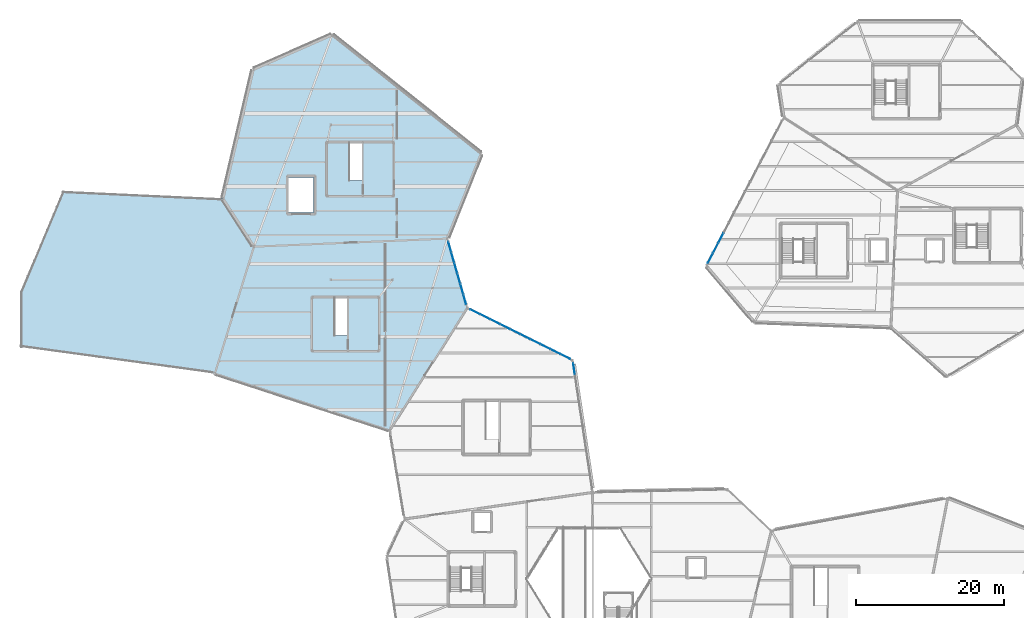
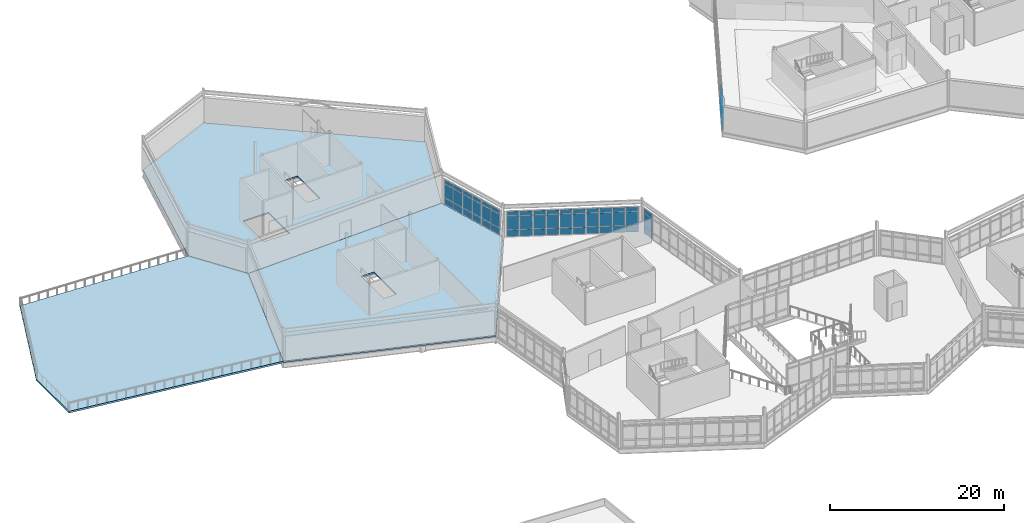
# One storey, part 51 of 76: 59 plates, 3 slabs, 4 elements without a shape of their own.
"""IFC4 building model written with IfcOpenShell, lengths in metres."""

from ifc_helpers import new_model, si_unit, direction, frame, origin, origin_2d, place, context, subcontext, project, spatial, polyline, rectangle, outline, extrude, material, layer, layer_set, type_object, element, aggregate, save


model = new_model("IFC4")

# Units and contexts
model_context = context("Model", 3, precision=1e-05, world=origin(), true_north=direction((0.0, 1.0)))
body_context = subcontext(model_context, "Body", "Model", "MODEL_VIEW")
ifc_project = project(units=[si_unit("LENGTHUNIT", "METRE"), si_unit("AREAUNIT", "SQUARE_METRE"), si_unit("VOLUMEUNIT", "CUBIC_METRE"), si_unit("PLANEANGLEUNIT", "RADIAN"), si_unit("MASSUNIT", "GRAM", prefix="KILO")], contexts=[model_context])

# Site, building, storey
site_placement = place(None, origin())
site = spatial("IfcSite", under=ifc_project, at=site_placement, CompositionType="ELEMENT")
building_placement = place(site_placement, origin())
building = spatial("IfcBuilding", under=site, at=building_placement, Name="Tameran Prism Museum", CompositionType="ELEMENT")
storey_placement = place(building_placement, frame((0.0, 0.0, 15.0)))
storey = spatial("IfcBuildingStorey", under=building, at=storey_placement, Name="L03", CompositionType="ELEMENT", Elevation=15.0)

# Curtain wall, plates
ifc_material_1 = material(Name="Anodised Aluminium 6063-T6 and Cyclone Solar Glass", Category="aluminium")
curtain_wall_type_1 = type_object("IfcCurtainWallType", Name="CW-FAC-1734x362", PredefinedType="USERDEFINED", material=ifc_material_1)
curtain_wall_1_placement = place(storey_placement, origin())
curtain_wall_1 = element("IfcCurtainWall", 1, at=curtain_wall_1_placement, inside=storey, type_object=curtain_wall_type_1, Name="Unitised Curtain Wall CW-143", ObjectType="UNITISED CURTAIN WALL", PredefinedType="USERDEFINED")
ifc_material_2 = material(Name="Low-E Laminated Solar Glass", Category="glass")
ifc_layer_1 = layer(ifc_material_2, 0.028076171875)
ifc_layer_set_1 = layer_set([ifc_layer_1])
plate_type_1 = type_object("IfcPlateType", Name="CW-PNL-G28", PredefinedType="CURTAIN_PANEL", material=ifc_layer_set_1)
plate_1_placement = place(storey_placement, frame((74.971923828125, 64.95849609375, 0.06494140625), z_axis=(0.0, 0.0, 1.0), x_axis=(0.149166532852, -0.988812088052, 0.0)))
plate_1 = element("IfcPlate", 2, at=plate_1_placement, type_object=plate_type_1, Name="CW-143 panel 1.1", PredefinedType="CURTAIN_PANEL", context=body_context, shape_type="SweptSolid", body=[
    extrude(rectangle(XDim=1.479248046875, YDim=0.028076171875, at=origin_2d()), origin(), (0.0, 0.0, 1.0), 0.902587890625),
])
plate_2_placement = place(storey_placement, frame((74.971923828125, 64.95849609375, 1.032470703125), z_axis=(0.0, 0.0, 1.0), x_axis=(0.149166532852, -0.988812088052, 0.0)))
plate_2 = element("IfcPlate", 3, at=plate_2_placement, type_object=plate_type_1, Name="CW-143 panel 1.2", PredefinedType="CURTAIN_PANEL", context=body_context, shape_type="SweptSolid", body=[
    extrude(rectangle(XDim=1.479248046875, YDim=0.028076171875, at=origin_2d()), origin(), (0.0, 0.0, 1.0), 1.875),
])
plate_3_placement = place(storey_placement, frame((74.971923828125, 64.95849609375, 2.972412109375), z_axis=(0.0, 0.0, 1.0), x_axis=(0.149166532852, -0.988812088052, 0.0)))
plate_3 = element("IfcPlate", 4, at=plate_3_placement, type_object=plate_type_1, Name="CW-143 panel 1.3", PredefinedType="CURTAIN_PANEL", context=body_context, shape_type="SweptSolid", body=[
    extrude(rectangle(XDim=1.479248046875, YDim=0.028076171875, at=origin_2d()), origin(), (0.0, 0.0, 1.0), 0.58251953125),
])
aggregate(curtain_wall_1, [plate_1, plate_2, plate_3])

ifc_material_3 = material(Name="Anodised Aluminium 6063-T6 and Cyclone Solar Glass", Category="aluminium")
curtain_wall_type_2 = type_object("IfcCurtainWallType", Name="CW-FAC-2192x362", PredefinedType="USERDEFINED", material=ifc_material_3)
curtain_wall_2_placement = place(storey_placement, origin())
curtain_wall_2 = element("IfcCurtainWall", 5, at=curtain_wall_2_placement, inside=storey, type_object=curtain_wall_type_2, Name="Unitised Curtain Wall CW-130", ObjectType="UNITISED CURTAIN WALL", PredefinedType="USERDEFINED")
ifc_material_4 = material(Name="Cyclone Laminated Solar Glass", Category="glass")
ifc_layer_2 = layer(ifc_material_4, 0.031982421875)
ifc_layer_set_2 = layer_set([ifc_layer_2])
plate_type_2 = type_object("IfcPlateType", Name="CW-PNL-G32", PredefinedType="CURTAIN_PANEL", material=ifc_layer_set_2)
plate_4_placement = place(storey_placement, frame((93.43359375, 79.921630859375, 0.080078125), z_axis=(0.0, 0.0, 1.0), x_axis=(0.463002540551, 0.886356952612, 0.0)))
plate_4 = element("IfcPlate", 6, at=plate_4_placement, type_object=plate_type_2, Name="CW-130 panel 1.1", PredefinedType="CURTAIN_PANEL", context=body_context, shape_type="SweptSolid", body=[
    extrude(rectangle(XDim=1.445556640625, YDim=0.031982421875, at=origin_2d()), origin(), (0.0, 0.0, 1.0), 0.8798828125),
])
plate_5_placement = place(storey_placement, frame((93.43359375, 79.921630859375, 1.0400390625), z_axis=(0.0, 0.0, 1.0), x_axis=(0.463002540551, 0.886356952612, 0.0)))
plate_5 = element("IfcPlate", 7, at=plate_5_placement, type_object=plate_type_2, Name="CW-130 panel 1.2", PredefinedType="CURTAIN_PANEL", context=body_context, shape_type="SweptSolid", body=[
    extrude(rectangle(XDim=1.445556640625, YDim=0.031982421875, at=origin_2d()), origin(), (0.0, 0.0, 1.0), 1.860107421875),
])
plate_6_placement = place(storey_placement, frame((93.43359375, 79.921630859375, 2.97998046875), z_axis=(0.0, 0.0, 1.0), x_axis=(0.463002540551, 0.886356952612, 0.0)))
plate_6 = element("IfcPlate", 8, at=plate_6_placement, type_object=plate_type_2, Name="CW-130 panel 1.3", PredefinedType="CURTAIN_PANEL", context=body_context, shape_type="SweptSolid", body=[
    extrude(rectangle(XDim=1.445556640625, YDim=0.031982421875, at=origin_2d()), origin(), (0.0, 0.0, 1.0), 0.56005859375),
])
plate_7_placement = place(storey_placement, frame((94.149169921875, 81.29150390625, 0.080078125), z_axis=(0.0, 0.0, 1.0), x_axis=(0.463002540551, 0.886356952612, 0.0)))
plate_7 = element("IfcPlate", 9, at=plate_7_placement, type_object=plate_type_2, Name="CW-130 panel 2.1", PredefinedType="CURTAIN_PANEL", context=body_context, shape_type="SweptSolid", body=[
    extrude(rectangle(XDim=1.485595703125, YDim=0.031982421875, at=origin_2d()), origin(), (0.0, 0.0, 1.0), 0.8798828125),
])
plate_8_placement = place(storey_placement, frame((94.149169921875, 81.29150390625, 1.0400390625), z_axis=(0.0, 0.0, 1.0), x_axis=(0.463002540551, 0.886356952612, 0.0)))
plate_8 = element("IfcPlate", 10, at=plate_8_placement, type_object=plate_type_2, Name="CW-130 panel 2.2", PredefinedType="CURTAIN_PANEL", context=body_context, shape_type="SweptSolid", body=[
    extrude(rectangle(XDim=1.485595703125, YDim=0.031982421875, at=origin_2d()), origin(), (0.0, 0.0, 1.0), 1.860107421875),
])
plate_9_placement = place(storey_placement, frame((94.149169921875, 81.29150390625, 2.97998046875), z_axis=(0.0, 0.0, 1.0), x_axis=(0.463002540551, 0.886356952612, 0.0)))
plate_9 = element("IfcPlate", 11, at=plate_9_placement, type_object=plate_type_2, Name="CW-130 panel 2.3", PredefinedType="CURTAIN_PANEL", context=body_context, shape_type="SweptSolid", body=[
    extrude(rectangle(XDim=1.485595703125, YDim=0.031982421875, at=origin_2d()), origin(), (0.0, 0.0, 1.0), 0.56005859375),
])
plate_10_placement = place(storey_placement, frame((94.8740234375, 82.67919921875, 0.080078125), z_axis=(0.0, 0.0, 1.0), x_axis=(0.463002540551, 0.886356952612, 0.0)))
plate_10 = element("IfcPlate", 12, at=plate_10_placement, type_object=plate_type_2, Name="CW-130 panel 3.1", PredefinedType="CURTAIN_PANEL", context=body_context, shape_type="SweptSolid", body=[
    extrude(rectangle(XDim=1.485595703125, YDim=0.031982421875, at=origin_2d()), origin(), (0.0, 0.0, 1.0), 0.8798828125),
])
plate_11_placement = place(storey_placement, frame((94.8740234375, 82.67919921875, 1.0400390625), z_axis=(0.0, 0.0, 1.0), x_axis=(0.463002540551, 0.886356952612, 0.0)))
plate_11 = element("IfcPlate", 13, at=plate_11_placement, type_object=plate_type_2, Name="CW-130 panel 3.2", PredefinedType="CURTAIN_PANEL", context=body_context, shape_type="SweptSolid", body=[
    extrude(rectangle(XDim=1.485595703125, YDim=0.031982421875, at=origin_2d()), origin(), (0.0, 0.0, 1.0), 1.860107421875),
])
aggregate(curtain_wall_2, [plate_4, plate_5, plate_6, plate_7, plate_8, plate_9, plate_10, plate_11])

ifc_material_5 = material(Name="Anodised Aluminium 6063-T6 and Cyclone Solar Glass", Category="aluminium")
curtain_wall_type_3 = type_object("IfcCurtainWallType", Name="CW-FAC-1520x362", PredefinedType="USERDEFINED", material=ifc_material_5)
curtain_wall_3_placement = place(storey_placement, origin())
curtain_wall_3 = element("IfcCurtainWall", 14, at=curtain_wall_3_placement, inside=storey, type_object=curtain_wall_type_3, Name="Unitised Curtain Wall CW-144", ObjectType="UNITISED CURTAIN WALL", PredefinedType="USERDEFINED")
plate_12_placement = place(storey_placement, frame((61.563720703125, 72.671142578125, 0.070068359375), z_axis=(0.0, 0.0, 1.0), x_axis=(0.895712459966, -0.444633769593, 0.0)))
plate_12 = element("IfcPlate", 15, at=plate_12_placement, type_object=plate_type_2, Name="CW-144 panel 1.1", PredefinedType="CURTAIN_PANEL", context=body_context, shape_type="SweptSolid", body=[
    extrude(rectangle(XDim=1.41552734375, YDim=0.031982421875, at=origin_2d()), origin(), (0.0, 0.0, 1.0), 0.89501953125),
])
plate_13_placement = place(storey_placement, frame((61.563720703125, 72.671142578125, 1.034912109375), z_axis=(0.0, 0.0, 1.0), x_axis=(0.895712459966, -0.444633769593, 0.0)))
plate_13 = element("IfcPlate", 16, at=plate_13_placement, type_object=plate_type_2, Name="CW-144 panel 1.2", PredefinedType="CURTAIN_PANEL", context=body_context, shape_type="SweptSolid", body=[
    extrude(rectangle(XDim=1.41552734375, YDim=0.031982421875, at=origin_2d()), origin(), (0.0, 0.0, 1.0), 1.8701171875),
])
plate_14_placement = place(storey_placement, frame((61.563720703125, 72.671142578125, 2.97509765625), z_axis=(0.0, 0.0, 1.0), x_axis=(0.895712459966, -0.444633769593, 0.0)))
plate_14 = element("IfcPlate", 17, at=plate_14_placement, type_object=plate_type_2, Name="CW-144 panel 1.3", PredefinedType="CURTAIN_PANEL", context=body_context, shape_type="SweptSolid", body=[
    extrude(rectangle(XDim=1.41552734375, YDim=0.031982421875, at=origin_2d()), origin(), (0.0, 0.0, 1.0), 0.574951171875),
])
plate_15_placement = place(storey_placement, frame((62.909912109375, 72.0029296875, 0.070068359375), z_axis=(0.0, 0.0, 1.0), x_axis=(0.895712459966, -0.444633769593, 0.0)))
plate_15 = element("IfcPlate", 18, at=plate_15_placement, type_object=plate_type_2, Name="CW-144 panel 2.1", PredefinedType="CURTAIN_PANEL", context=body_context, shape_type="SweptSolid", body=[
    extrude(rectangle(XDim=1.45068359375, YDim=0.031982421875, at=origin_2d()), origin(), (0.0, 0.0, 1.0), 0.89501953125),
])
plate_16_placement = place(storey_placement, frame((62.909912109375, 72.0029296875, 1.034912109375), z_axis=(0.0, 0.0, 1.0), x_axis=(0.895712459966, -0.444633769593, 0.0)))
plate_16 = element("IfcPlate", 19, at=plate_16_placement, type_object=plate_type_2, Name="CW-144 panel 2.2", PredefinedType="CURTAIN_PANEL", context=body_context, shape_type="SweptSolid", body=[
    extrude(rectangle(XDim=1.45068359375, YDim=0.031982421875, at=origin_2d()), origin(), (0.0, 0.0, 1.0), 1.8701171875),
])
plate_17_placement = place(storey_placement, frame((62.909912109375, 72.0029296875, 2.97509765625), z_axis=(0.0, 0.0, 1.0), x_axis=(0.895712459966, -0.444633769593, 0.0)))
plate_17 = element("IfcPlate", 20, at=plate_17_placement, type_object=plate_type_2, Name="CW-144 panel 2.3", PredefinedType="CURTAIN_PANEL", context=body_context, shape_type="SweptSolid", body=[
    extrude(rectangle(XDim=1.45068359375, YDim=0.031982421875, at=origin_2d()), origin(), (0.0, 0.0, 1.0), 0.574951171875),
])
plate_18_placement = place(storey_placement, frame((64.27197265625, 71.32666015625, 0.070068359375), z_axis=(0.0, 0.0, 1.0), x_axis=(0.895712459966, -0.444633769593, 0.0)))
plate_18 = element("IfcPlate", 21, at=plate_18_placement, type_object=plate_type_2, Name="CW-144 panel 3.1", PredefinedType="CURTAIN_PANEL", context=body_context, shape_type="SweptSolid", body=[
    extrude(rectangle(XDim=1.45068359375, YDim=0.031982421875, at=origin_2d()), origin(), (0.0, 0.0, 1.0), 0.89501953125),
])
plate_19_placement = place(storey_placement, frame((64.27197265625, 71.32666015625, 1.034912109375), z_axis=(0.0, 0.0, 1.0), x_axis=(0.895712459966, -0.444633769593, 0.0)))
plate_19 = element("IfcPlate", 22, at=plate_19_placement, type_object=plate_type_2, Name="CW-144 panel 3.2", PredefinedType="CURTAIN_PANEL", context=body_context, shape_type="SweptSolid", body=[
    extrude(rectangle(XDim=1.45068359375, YDim=0.031982421875, at=origin_2d()), origin(), (0.0, 0.0, 1.0), 1.8701171875),
])
plate_20_placement = place(storey_placement, frame((64.27197265625, 71.32666015625, 2.97509765625), z_axis=(0.0, 0.0, 1.0), x_axis=(0.895712459966, -0.444633769593, 0.0)))
plate_20 = element("IfcPlate", 23, at=plate_20_placement, type_object=plate_type_2, Name="CW-144 panel 3.3", PredefinedType="CURTAIN_PANEL", context=body_context, shape_type="SweptSolid", body=[
    extrude(rectangle(XDim=1.45068359375, YDim=0.031982421875, at=origin_2d()), origin(), (0.0, 0.0, 1.0), 0.574951171875),
])
plate_21_placement = place(storey_placement, frame((65.634033203125, 70.650634765625, 0.070068359375), z_axis=(0.0, 0.0, 1.0), x_axis=(0.895712459966, -0.444633769593, 0.0)))
plate_21 = element("IfcPlate", 24, at=plate_21_placement, type_object=plate_type_2, Name="CW-144 panel 4.1", PredefinedType="CURTAIN_PANEL", context=body_context, shape_type="SweptSolid", body=[
    extrude(rectangle(XDim=1.45068359375, YDim=0.031982421875, at=origin_2d()), origin(), (0.0, 0.0, 1.0), 0.89501953125),
])
plate_22_placement = place(storey_placement, frame((65.634033203125, 70.650634765625, 1.034912109375), z_axis=(0.0, 0.0, 1.0), x_axis=(0.895712459966, -0.444633769593, 0.0)))
plate_22 = element("IfcPlate", 25, at=plate_22_placement, type_object=plate_type_2, Name="CW-144 panel 4.2", PredefinedType="CURTAIN_PANEL", context=body_context, shape_type="SweptSolid", body=[
    extrude(rectangle(XDim=1.45068359375, YDim=0.031982421875, at=origin_2d()), origin(), (0.0, 0.0, 1.0), 1.8701171875),
])
plate_23_placement = place(storey_placement, frame((65.634033203125, 70.650634765625, 2.97509765625), z_axis=(0.0, 0.0, 1.0), x_axis=(0.895712459966, -0.444633769593, 0.0)))
plate_23 = element("IfcPlate", 26, at=plate_23_placement, type_object=plate_type_2, Name="CW-144 panel 4.3", PredefinedType="CURTAIN_PANEL", context=body_context, shape_type="SweptSolid", body=[
    extrude(rectangle(XDim=1.45068359375, YDim=0.031982421875, at=origin_2d()), origin(), (0.0, 0.0, 1.0), 0.574951171875),
])
plate_24_placement = place(storey_placement, frame((66.99609375, 69.974609375, 0.070068359375), z_axis=(0.0, 0.0, 1.0), x_axis=(0.895712459966, -0.444633769593, 0.0)))
plate_24 = element("IfcPlate", 27, at=plate_24_placement, type_object=plate_type_2, Name="CW-144 panel 5.1", PredefinedType="CURTAIN_PANEL", context=body_context, shape_type="SweptSolid", body=[
    extrude(rectangle(XDim=1.45068359375, YDim=0.031982421875, at=origin_2d()), origin(), (0.0, 0.0, 1.0), 0.89501953125),
])
plate_25_placement = place(storey_placement, frame((66.99609375, 69.974609375, 1.034912109375), z_axis=(0.0, 0.0, 1.0), x_axis=(0.895712459966, -0.444633769593, 0.0)))
plate_25 = element("IfcPlate", 28, at=plate_25_placement, type_object=plate_type_2, Name="CW-144 panel 5.2", PredefinedType="CURTAIN_PANEL", context=body_context, shape_type="SweptSolid", body=[
    extrude(rectangle(XDim=1.45068359375, YDim=0.031982421875, at=origin_2d()), origin(), (0.0, 0.0, 1.0), 1.8701171875),
])
plate_26_placement = place(storey_placement, frame((66.99609375, 69.974609375, 2.97509765625), z_axis=(0.0, 0.0, 1.0), x_axis=(0.895712459966, -0.444633769593, 0.0)))
plate_26 = element("IfcPlate", 29, at=plate_26_placement, type_object=plate_type_2, Name="CW-144 panel 5.3", PredefinedType="CURTAIN_PANEL", context=body_context, shape_type="SweptSolid", body=[
    extrude(rectangle(XDim=1.45068359375, YDim=0.031982421875, at=origin_2d()), origin(), (0.0, 0.0, 1.0), 0.574951171875),
])
plate_27_placement = place(storey_placement, frame((68.35791015625, 69.29833984375, 0.070068359375), z_axis=(0.0, 0.0, 1.0), x_axis=(0.895712459966, -0.444633769593, 0.0)))
plate_27 = element("IfcPlate", 30, at=plate_27_placement, type_object=plate_type_2, Name="CW-144 panel 6.1", PredefinedType="CURTAIN_PANEL", context=body_context, shape_type="SweptSolid", body=[
    extrude(rectangle(XDim=1.45068359375, YDim=0.031982421875, at=origin_2d()), origin(), (0.0, 0.0, 1.0), 0.89501953125),
])
plate_28_placement = place(storey_placement, frame((68.35791015625, 69.29833984375, 1.034912109375), z_axis=(0.0, 0.0, 1.0), x_axis=(0.895712459966, -0.444633769593, 0.0)))
plate_28 = element("IfcPlate", 31, at=plate_28_placement, type_object=plate_type_2, Name="CW-144 panel 6.2", PredefinedType="CURTAIN_PANEL", context=body_context, shape_type="SweptSolid", body=[
    extrude(rectangle(XDim=1.45068359375, YDim=0.031982421875, at=origin_2d()), origin(), (0.0, 0.0, 1.0), 1.8701171875),
])
plate_29_placement = place(storey_placement, frame((68.35791015625, 69.29833984375, 2.97509765625), z_axis=(0.0, 0.0, 1.0), x_axis=(0.895712459966, -0.444633769593, 0.0)))
plate_29 = element("IfcPlate", 32, at=plate_29_placement, type_object=plate_type_2, Name="CW-144 panel 6.3", PredefinedType="CURTAIN_PANEL", context=body_context, shape_type="SweptSolid", body=[
    extrude(rectangle(XDim=1.45068359375, YDim=0.031982421875, at=origin_2d()), origin(), (0.0, 0.0, 1.0), 0.574951171875),
])
plate_30_placement = place(storey_placement, frame((69.719970703125, 68.622314453125, 0.070068359375), z_axis=(0.0, 0.0, 1.0), x_axis=(0.895712459966, -0.444633769593, 0.0)))
plate_30 = element("IfcPlate", 33, at=plate_30_placement, type_object=plate_type_2, Name="CW-144 panel 7.1", PredefinedType="CURTAIN_PANEL", context=body_context, shape_type="SweptSolid", body=[
    extrude(rectangle(XDim=1.45068359375, YDim=0.031982421875, at=origin_2d()), origin(), (0.0, 0.0, 1.0), 0.89501953125),
])
plate_31_placement = place(storey_placement, frame((69.719970703125, 68.622314453125, 1.034912109375), z_axis=(0.0, 0.0, 1.0), x_axis=(0.895712459966, -0.444633769593, 0.0)))
plate_31 = element("IfcPlate", 34, at=plate_31_placement, type_object=plate_type_2, Name="CW-144 panel 7.2", PredefinedType="CURTAIN_PANEL", context=body_context, shape_type="SweptSolid", body=[
    extrude(rectangle(XDim=1.45068359375, YDim=0.031982421875, at=origin_2d()), origin(), (0.0, 0.0, 1.0), 1.8701171875),
])
plate_32_placement = place(storey_placement, frame((69.719970703125, 68.622314453125, 2.97509765625), z_axis=(0.0, 0.0, 1.0), x_axis=(0.895712459966, -0.444633769593, 0.0)))
plate_32 = element("IfcPlate", 35, at=plate_32_placement, type_object=plate_type_2, Name="CW-144 panel 7.3", PredefinedType="CURTAIN_PANEL", context=body_context, shape_type="SweptSolid", body=[
    extrude(rectangle(XDim=1.45068359375, YDim=0.031982421875, at=origin_2d()), origin(), (0.0, 0.0, 1.0), 0.574951171875),
])
plate_33_placement = place(storey_placement, frame((71.08203125, 67.9462890625, 0.070068359375), z_axis=(0.0, 0.0, 1.0), x_axis=(0.895712459966, -0.444633769593, 0.0)))
plate_33 = element("IfcPlate", 36, at=plate_33_placement, type_object=plate_type_2, Name="CW-144 panel 8.1", PredefinedType="CURTAIN_PANEL", context=body_context, shape_type="SweptSolid", body=[
    extrude(rectangle(XDim=1.45068359375, YDim=0.031982421875, at=origin_2d()), origin(), (0.0, 0.0, 1.0), 0.89501953125),
])
plate_34_placement = place(storey_placement, frame((71.08203125, 67.9462890625, 1.034912109375), z_axis=(0.0, 0.0, 1.0), x_axis=(0.895712459966, -0.444633769593, 0.0)))
plate_34 = element("IfcPlate", 37, at=plate_34_placement, type_object=plate_type_2, Name="CW-144 panel 8.2", PredefinedType="CURTAIN_PANEL", context=body_context, shape_type="SweptSolid", body=[
    extrude(rectangle(XDim=1.45068359375, YDim=0.031982421875, at=origin_2d()), origin(), (0.0, 0.0, 1.0), 1.8701171875),
])
plate_35_placement = place(storey_placement, frame((71.08203125, 67.9462890625, 2.97509765625), z_axis=(0.0, 0.0, 1.0), x_axis=(0.895712459966, -0.444633769593, 0.0)))
plate_35 = element("IfcPlate", 38, at=plate_35_placement, type_object=plate_type_2, Name="CW-144 panel 8.3", PredefinedType="CURTAIN_PANEL", context=body_context, shape_type="SweptSolid", body=[
    extrude(rectangle(XDim=1.45068359375, YDim=0.031982421875, at=origin_2d()), origin(), (0.0, 0.0, 1.0), 0.574951171875),
])
plate_36_placement = place(storey_placement, frame((72.444091796875, 67.270263671875, 0.070068359375), z_axis=(0.0, 0.0, 1.0), x_axis=(0.895712459966, -0.444633769593, 0.0)))
plate_36 = element("IfcPlate", 39, at=plate_36_placement, type_object=plate_type_2, Name="CW-144 panel 9.1", PredefinedType="CURTAIN_PANEL", context=body_context, shape_type="SweptSolid", body=[
    extrude(rectangle(XDim=1.45068359375, YDim=0.031982421875, at=origin_2d()), origin(), (0.0, 0.0, 1.0), 0.89501953125),
])
plate_37_placement = place(storey_placement, frame((72.444091796875, 67.270263671875, 1.034912109375), z_axis=(0.0, 0.0, 1.0), x_axis=(0.895712459966, -0.444633769593, 0.0)))
plate_37 = element("IfcPlate", 40, at=plate_37_placement, type_object=plate_type_2, Name="CW-144 panel 9.2", PredefinedType="CURTAIN_PANEL", context=body_context, shape_type="SweptSolid", body=[
    extrude(rectangle(XDim=1.45068359375, YDim=0.031982421875, at=origin_2d()), origin(), (0.0, 0.0, 1.0), 1.8701171875),
])
plate_38_placement = place(storey_placement, frame((72.444091796875, 67.270263671875, 2.97509765625), z_axis=(0.0, 0.0, 1.0), x_axis=(0.895712459966, -0.444633769593, 0.0)))
plate_38 = element("IfcPlate", 41, at=plate_38_placement, type_object=plate_type_2, Name="CW-144 panel 9.3", PredefinedType="CURTAIN_PANEL", context=body_context, shape_type="SweptSolid", body=[
    extrude(rectangle(XDim=1.45068359375, YDim=0.031982421875, at=origin_2d()), origin(), (0.0, 0.0, 1.0), 0.574951171875),
])
plate_39_placement = place(storey_placement, frame((73.790283203125, 66.601806640625, 0.070068359375), z_axis=(0.0, 0.0, 1.0), x_axis=(0.895712459966, -0.444633769593, 0.0)))
plate_39 = element("IfcPlate", 42, at=plate_39_placement, type_object=plate_type_2, Name="CW-144 panel 10.1", PredefinedType="CURTAIN_PANEL", context=body_context, shape_type="SweptSolid", body=[
    extrude(rectangle(XDim=1.41552734375, YDim=0.031982421875, at=origin_2d()), origin(), (0.0, 0.0, 1.0), 0.89501953125),
])
plate_40_placement = place(storey_placement, frame((73.790283203125, 66.601806640625, 1.034912109375), z_axis=(0.0, 0.0, 1.0), x_axis=(0.895712459966, -0.444633769593, 0.0)))
plate_40 = element("IfcPlate", 43, at=plate_40_placement, type_object=plate_type_2, Name="CW-144 panel 10.2", PredefinedType="CURTAIN_PANEL", context=body_context, shape_type="SweptSolid", body=[
    extrude(rectangle(XDim=1.41552734375, YDim=0.031982421875, at=origin_2d()), origin(), (0.0, 0.0, 1.0), 1.8701171875),
])
plate_41_placement = place(storey_placement, frame((73.790283203125, 66.601806640625, 2.97509765625), z_axis=(0.0, 0.0, 1.0), x_axis=(0.895712459966, -0.444633769593, 0.0)))
plate_41 = element("IfcPlate", 44, at=plate_41_placement, type_object=plate_type_2, Name="CW-144 panel 10.3", PredefinedType="CURTAIN_PANEL", context=body_context, shape_type="SweptSolid", body=[
    extrude(rectangle(XDim=1.41552734375, YDim=0.031982421875, at=origin_2d()), origin(), (0.0, 0.0, 1.0), 0.574951171875),
])
aggregate(curtain_wall_3, [plate_12, plate_13, plate_14, plate_15, plate_16, plate_17, plate_18, plate_19, plate_20, plate_21, plate_22, plate_23, plate_24, plate_25, plate_26, plate_27, plate_28, plate_29, plate_30, plate_31, plate_32, plate_33, plate_34, plate_35, plate_36, plate_37, plate_38, plate_39, plate_40, plate_41])

ifc_material_6 = material(Name="Anodised Aluminium 6063-T6 and Cyclone Solar Glass", Category="aluminium")
curtain_wall_type_4 = type_object("IfcCurtainWallType", Name="CW-FAC-896x362", PredefinedType="USERDEFINED", material=ifc_material_6)
curtain_wall_4_placement = place(storey_placement, origin())
curtain_wall_4 = element("IfcCurtainWall", 45, at=curtain_wall_4_placement, inside=storey, type_object=curtain_wall_type_4, Name="Unitised Curtain Wall CW-150", ObjectType="UNITISED CURTAIN WALL", PredefinedType="USERDEFINED")
plate_42_placement = place(storey_placement, frame((58.12548828125, 81.468994140625, 0.080078125), z_axis=(0.0, 0.0, 1.0), x_axis=(0.275900197941, -0.961186288279, 0.0)))
plate_42 = element("IfcPlate", 46, at=plate_42_placement, type_object=plate_type_2, Name="CW-150 panel 1.1", PredefinedType="CURTAIN_PANEL", context=body_context, shape_type="SweptSolid", body=[
    extrude(rectangle(XDim=1.373291015625, YDim=0.031982421875, at=origin_2d()), origin(), (0.0, 0.0, 1.0), 0.8798828125),
])
plate_43_placement = place(storey_placement, frame((58.12548828125, 81.468994140625, 1.0400390625), z_axis=(0.0, 0.0, 1.0), x_axis=(0.275900197941, -0.961186288279, 0.0)))
plate_43 = element("IfcPlate", 47, at=plate_43_placement, type_object=plate_type_2, Name="CW-150 panel 1.2", PredefinedType="CURTAIN_PANEL", context=body_context, shape_type="SweptSolid", body=[
    extrude(rectangle(XDim=1.373291015625, YDim=0.031982421875, at=origin_2d()), origin(), (0.0, 0.0, 1.0), 1.860107421875),
])
plate_44_placement = place(storey_placement, frame((58.12548828125, 81.468994140625, 2.97998046875), z_axis=(0.0, 0.0, 1.0), x_axis=(0.275900197941, -0.961186288279, 0.0)))
plate_44 = element("IfcPlate", 48, at=plate_44_placement, type_object=plate_type_2, Name="CW-150 panel 1.3", PredefinedType="CURTAIN_PANEL", context=body_context, shape_type="SweptSolid", body=[
    extrude(rectangle(XDim=1.373291015625, YDim=0.031982421875, at=origin_2d()), origin(), (0.0, 0.0, 1.0), 0.56005859375),
])
plate_45_placement = place(storey_placement, frame((58.531982421875, 80.052978515625, 0.080078125), z_axis=(0.0, 0.0, 1.0), x_axis=(0.275900197941, -0.961186288279, 0.0)))
plate_45 = element("IfcPlate", 49, at=plate_45_placement, type_object=plate_type_2, Name="CW-150 panel 2.1", PredefinedType="CURTAIN_PANEL", context=body_context, shape_type="SweptSolid", body=[
    extrude(rectangle(XDim=1.413330078125, YDim=0.031982421875, at=origin_2d()), origin(), (0.0, 0.0, 1.0), 0.8798828125),
])
plate_46_placement = place(storey_placement, frame((58.531982421875, 80.052978515625, 1.0400390625), z_axis=(0.0, 0.0, 1.0), x_axis=(0.275900197941, -0.961186288279, 0.0)))
plate_46 = element("IfcPlate", 50, at=plate_46_placement, type_object=plate_type_2, Name="CW-150 panel 2.2", PredefinedType="CURTAIN_PANEL", context=body_context, shape_type="SweptSolid", body=[
    extrude(rectangle(XDim=1.413330078125, YDim=0.031982421875, at=origin_2d()), origin(), (0.0, 0.0, 1.0), 1.860107421875),
])
plate_47_placement = place(storey_placement, frame((58.531982421875, 80.052978515625, 2.97998046875), z_axis=(0.0, 0.0, 1.0), x_axis=(0.275900197941, -0.961186288279, 0.0)))
plate_47 = element("IfcPlate", 51, at=plate_47_placement, type_object=plate_type_2, Name="CW-150 panel 2.3", PredefinedType="CURTAIN_PANEL", context=body_context, shape_type="SweptSolid", body=[
    extrude(rectangle(XDim=1.413330078125, YDim=0.031982421875, at=origin_2d()), origin(), (0.0, 0.0, 1.0), 0.56005859375),
])
plate_48_placement = place(storey_placement, frame((58.944091796875, 78.61767578125, 0.080078125), z_axis=(0.0, 0.0, 1.0), x_axis=(0.275900197941, -0.961186288279, 0.0)))
plate_48 = element("IfcPlate", 52, at=plate_48_placement, type_object=plate_type_2, Name="CW-150 panel 3.1", PredefinedType="CURTAIN_PANEL", context=body_context, shape_type="SweptSolid", body=[
    extrude(rectangle(XDim=1.413330078125, YDim=0.031982421875, at=origin_2d()), origin(), (0.0, 0.0, 1.0), 0.8798828125),
])
plate_49_placement = place(storey_placement, frame((58.944091796875, 78.61767578125, 1.0400390625), z_axis=(0.0, 0.0, 1.0), x_axis=(0.275900197941, -0.961186288279, 0.0)))
plate_49 = element("IfcPlate", 53, at=plate_49_placement, type_object=plate_type_2, Name="CW-150 panel 3.2", PredefinedType="CURTAIN_PANEL", context=body_context, shape_type="SweptSolid", body=[
    extrude(rectangle(XDim=1.413330078125, YDim=0.031982421875, at=origin_2d()), origin(), (0.0, 0.0, 1.0), 1.860107421875),
])
plate_50_placement = place(storey_placement, frame((58.944091796875, 78.61767578125, 2.97998046875), z_axis=(0.0, 0.0, 1.0), x_axis=(0.275900197941, -0.961186288279, 0.0)))
plate_50 = element("IfcPlate", 54, at=plate_50_placement, type_object=plate_type_2, Name="CW-150 panel 3.3", PredefinedType="CURTAIN_PANEL", context=body_context, shape_type="SweptSolid", body=[
    extrude(rectangle(XDim=1.413330078125, YDim=0.031982421875, at=origin_2d()), origin(), (0.0, 0.0, 1.0), 0.56005859375),
])
plate_51_placement = place(storey_placement, frame((59.35595703125, 77.182373046875, 0.080078125), z_axis=(0.0, 0.0, 1.0), x_axis=(0.275900197941, -0.961186288279, 0.0)))
plate_51 = element("IfcPlate", 55, at=plate_51_placement, type_object=plate_type_2, Name="CW-150 panel 4.1", PredefinedType="CURTAIN_PANEL", context=body_context, shape_type="SweptSolid", body=[
    extrude(rectangle(XDim=1.413330078125, YDim=0.031982421875, at=origin_2d()), origin(), (0.0, 0.0, 1.0), 0.8798828125),
])
plate_52_placement = place(storey_placement, frame((59.35595703125, 77.182373046875, 1.0400390625), z_axis=(0.0, 0.0, 1.0), x_axis=(0.275900197941, -0.961186288279, 0.0)))
plate_52 = element("IfcPlate", 56, at=plate_52_placement, type_object=plate_type_2, Name="CW-150 panel 4.2", PredefinedType="CURTAIN_PANEL", context=body_context, shape_type="SweptSolid", body=[
    extrude(rectangle(XDim=1.413330078125, YDim=0.031982421875, at=origin_2d()), origin(), (0.0, 0.0, 1.0), 1.860107421875),
])
plate_53_placement = place(storey_placement, frame((59.35595703125, 77.182373046875, 2.97998046875), z_axis=(0.0, 0.0, 1.0), x_axis=(0.275900197941, -0.961186288279, 0.0)))
plate_53 = element("IfcPlate", 57, at=plate_53_placement, type_object=plate_type_2, Name="CW-150 panel 4.3", PredefinedType="CURTAIN_PANEL", context=body_context, shape_type="SweptSolid", body=[
    extrude(rectangle(XDim=1.413330078125, YDim=0.031982421875, at=origin_2d()), origin(), (0.0, 0.0, 1.0), 0.56005859375),
])
plate_54_placement = place(storey_placement, frame((59.76806640625, 75.7470703125, 0.080078125), z_axis=(0.0, 0.0, 1.0), x_axis=(0.275900197941, -0.961186288279, 0.0)))
plate_54 = element("IfcPlate", 58, at=plate_54_placement, type_object=plate_type_2, Name="CW-150 panel 5.1", PredefinedType="CURTAIN_PANEL", context=body_context, shape_type="SweptSolid", body=[
    extrude(rectangle(XDim=1.413330078125, YDim=0.031982421875, at=origin_2d()), origin(), (0.0, 0.0, 1.0), 0.8798828125),
])
plate_55_placement = place(storey_placement, frame((59.76806640625, 75.7470703125, 1.0400390625), z_axis=(0.0, 0.0, 1.0), x_axis=(0.275900197941, -0.961186288279, 0.0)))
plate_55 = element("IfcPlate", 59, at=plate_55_placement, type_object=plate_type_2, Name="CW-150 panel 5.2", PredefinedType="CURTAIN_PANEL", context=body_context, shape_type="SweptSolid", body=[
    extrude(rectangle(XDim=1.413330078125, YDim=0.031982421875, at=origin_2d()), origin(), (0.0, 0.0, 1.0), 1.860107421875),
])
plate_56_placement = place(storey_placement, frame((59.76806640625, 75.7470703125, 2.97998046875), z_axis=(0.0, 0.0, 1.0), x_axis=(0.275900197941, -0.961186288279, 0.0)))
plate_56 = element("IfcPlate", 60, at=plate_56_placement, type_object=plate_type_2, Name="CW-150 panel 5.3", PredefinedType="CURTAIN_PANEL", context=body_context, shape_type="SweptSolid", body=[
    extrude(rectangle(XDim=1.413330078125, YDim=0.031982421875, at=origin_2d()), origin(), (0.0, 0.0, 1.0), 0.56005859375),
])
plate_57_placement = place(storey_placement, frame((60.174560546875, 74.330810546875, 0.080078125), z_axis=(0.0, 0.0, 1.0), x_axis=(0.275900197941, -0.961186288279, 0.0)))
plate_57 = element("IfcPlate", 61, at=plate_57_placement, type_object=plate_type_2, Name="CW-150 panel 6.1", PredefinedType="CURTAIN_PANEL", context=body_context, shape_type="SweptSolid", body=[
    extrude(rectangle(XDim=1.373291015625, YDim=0.031982421875, at=origin_2d()), origin(), (0.0, 0.0, 1.0), 0.8798828125),
])
plate_58_placement = place(storey_placement, frame((60.174560546875, 74.330810546875, 1.0400390625), z_axis=(0.0, 0.0, 1.0), x_axis=(0.275900197941, -0.961186288279, 0.0)))
plate_58 = element("IfcPlate", 62, at=plate_58_placement, type_object=plate_type_2, Name="CW-150 panel 6.2", PredefinedType="CURTAIN_PANEL", context=body_context, shape_type="SweptSolid", body=[
    extrude(rectangle(XDim=1.373291015625, YDim=0.031982421875, at=origin_2d()), origin(), (0.0, 0.0, 1.0), 1.860107421875),
])
plate_59_placement = place(storey_placement, frame((60.174560546875, 74.330810546875, 2.97998046875), z_axis=(0.0, 0.0, 1.0), x_axis=(0.275900197941, -0.961186288279, 0.0)))
plate_59 = element("IfcPlate", 63, at=plate_59_placement, type_object=plate_type_2, Name="CW-150 panel 6.3", PredefinedType="CURTAIN_PANEL", context=body_context, shape_type="SweptSolid", body=[
    extrude(rectangle(XDim=1.373291015625, YDim=0.031982421875, at=origin_2d()), origin(), (0.0, 0.0, 1.0), 0.56005859375),
])
aggregate(curtain_wall_4, [plate_42, plate_43, plate_44, plate_45, plate_46, plate_47, plate_48, plate_49, plate_50, plate_51, plate_52, plate_53, plate_54, plate_55, plate_56, plate_57, plate_58, plate_59])

# Slabs
ifc_material_7 = material(Name="Concrete N32 (32 MPa)", Category="concrete")
ifc_layer_3 = layer(ifc_material_7, 0.199951171875)
ifc_layer_set_3 = layer_set([ifc_layer_3])
slab_type_1 = type_object("IfcSlabType", Name="SL-FLR-200", PredefinedType="FLOOR", material=ifc_layer_set_3)
slab_1_placement = place(storey_placement, frame((0.0, 0.0, -0.199951171875)))
element("IfcSlab", 64, at=slab_1_placement, inside=storey, type_object=slab_type_1, Name="Floor Slab FS-P15-L03", PredefinedType="FLOOR", context=body_context, shape_type="SweptSolid", body=[
    extrude(outline(polyline([(26.300048828125, 64.300048828125), (31.60009765625, 81.5), (57.800048828125, 82.60009765625), (60.5, 73.199951171875), (50.0, 56.60009765625), (26.300048828125, 64.300048828125)]), holes=[polyline([(44.219970703125, 74.550048828125), (42.550048828125, 74.550048828125), (42.550048828125, 69.43994140625), (44.219970703125, 69.43994140625), (44.219970703125, 74.550048828125)])]), origin(), (0.0, 0.0, 1.0), 0.199951171875),
])
slab_2_placement = place(storey_placement, frame((0.0, 0.0, -0.199951171875)))
element("IfcSlab", 65, at=slab_2_placement, inside=storey, type_object=slab_type_1, Name="Floor Slab FS-P16-L03", PredefinedType="FLOOR", context=body_context, shape_type="SweptSolid", body=[
    extrude(outline(polyline([(27.39990234375, 88.0), (31.5, 105.5), (42.199951171875, 110.199951171875), (62.39990234375, 94.10009765625), (57.800048828125, 82.60009765625), (31.60009765625, 81.5), (27.39990234375, 88.0)]), holes=[polyline([(39.699951171875, 86.10009765625), (39.699951171875, 90.89990234375), (36.300048828125, 90.89990234375), (36.300048828125, 86.10009765625), (39.699951171875, 86.10009765625)]), polyline([(46.219970703125, 90.43994140625), (46.219970703125, 95.550048828125), (44.550048828125, 95.550048828125), (44.550048828125, 90.43994140625), (46.219970703125, 90.43994140625)])]), origin(), (0.0, 0.0, 1.0), 0.199951171875),
])
ifc_material_8 = material(Name="Concrete N40 (40 MPa)", Category="concrete")
ifc_layer_4 = layer(ifc_material_8, 0.25)
ifc_layer_set_4 = layer_set([ifc_layer_4])
slab_type_2 = type_object("IfcSlabType", Name="SL-TER-250", PredefinedType="USERDEFINED", material=ifc_layer_set_4)
slab_3_placement = place(storey_placement, frame((0.0, 0.0, -0.25)))
element("IfcSlab", 66, at=slab_3_placement, inside=storey, type_object=slab_type_2, Name="Planted Roof Terrace TR-P17-L03", ObjectType="TERRACE", PredefinedType="USERDEFINED", context=body_context, shape_type="SweptSolid", body=[
    extrude(outline(polyline([(0.0, 75.39990234375), (0.0, 67.89990234375), (26.300048828125, 64.300048828125), (31.60009765625, 81.5), (27.39990234375, 88.0), (5.699951171875, 89.0), (0.0, 75.39990234375)])), origin(), (0.0, 0.0, 1.0), 0.25),
])

save(model, "model.ifc")
